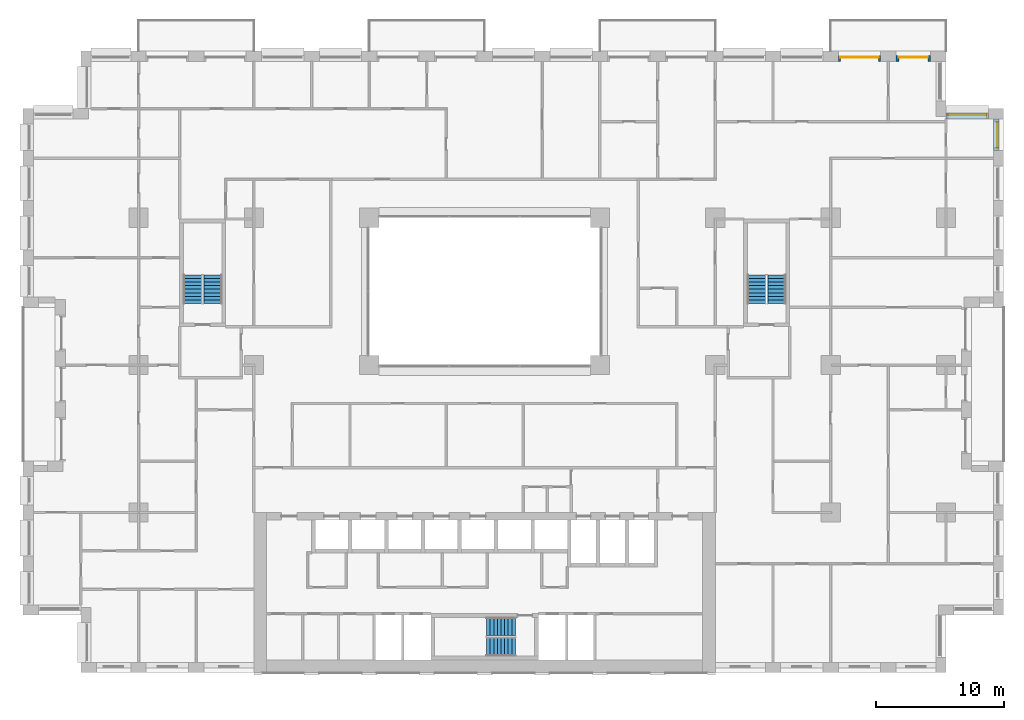
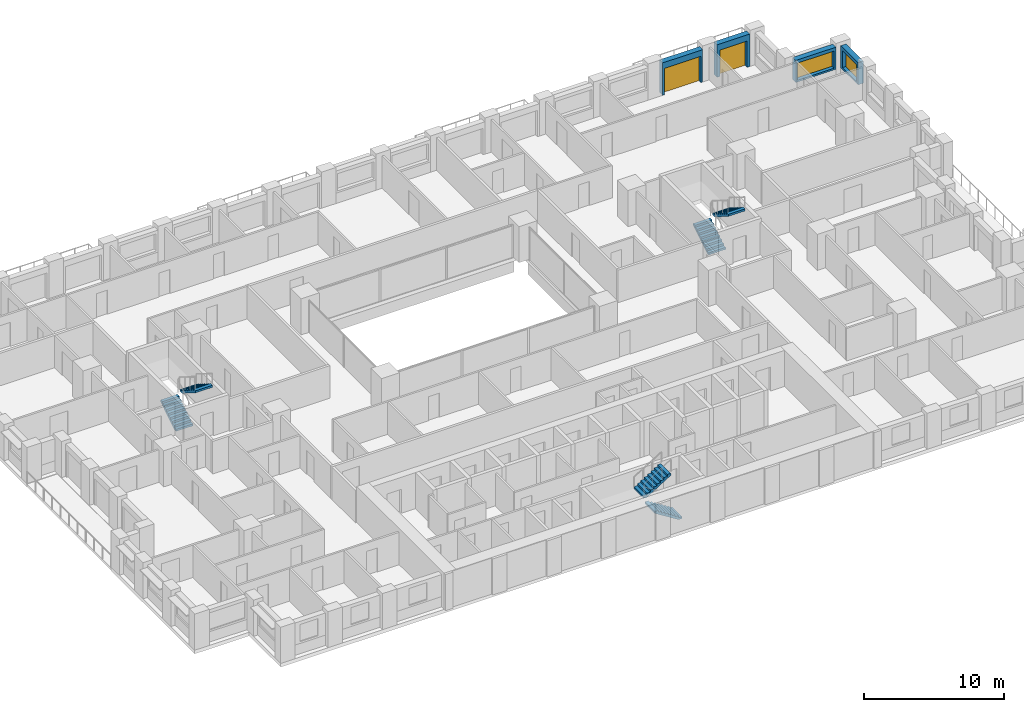
# One storey, part 18 of 20: 6 stair flights, 4 walls, 2 doors, 2 windows, 4 openings, 3 elements without a shape of their own.
"""IFC4 building model written with IfcOpenShell, lengths in metres."""

from ifc_helpers import new_model, si_unit, direction, frame, frame_2d, origin, place, context, subcontext, project, spatial, polyline, rectangle, outline, extrude, material, layer, layer_set, type_object, element, fill, aggregate, save


model = new_model("IFC4")

# Units and contexts
model_context = context("Model", 3, precision=1e-05, world=origin(), true_north=direction((0.0, 1.0)))
body_context = subcontext(model_context, "Body", "Model", "MODEL_VIEW")
ifc_project = project(units=[si_unit("LENGTHUNIT", "METRE"), si_unit("AREAUNIT", "SQUARE_METRE"), si_unit("VOLUMEUNIT", "CUBIC_METRE"), si_unit("PLANEANGLEUNIT", "RADIAN"), si_unit("MASSUNIT", "GRAM", prefix="KILO")], contexts=[model_context])

# Site, building, storey
site_placement = place(None, origin())
site = spatial("IfcSite", under=ifc_project, at=site_placement, CompositionType="ELEMENT")
building_placement = place(site_placement, origin())
building = spatial("IfcBuilding", under=site, at=building_placement, Name="Brigalow Station Residences", CompositionType="ELEMENT")
storey_placement = place(building_placement, frame((0.0, 0.0, 54.14990234375)))
storey = spatial("IfcBuildingStorey", under=building, at=storey_placement, Name="L15", CompositionType="ELEMENT", Elevation=54.14990234375)

# Wall, opening, window
ifc_material_1 = material(Name="Clay brick masonry", Category="masonry")
ifc_layer = layer(ifc_material_1, 0.449951171875)
ifc_layer_set = layer_set([ifc_layer], Name="BRICK INFILL WALL 450")
wall_type = type_object("IfcWallType", Name="BRICK INFILL WALL 450", PredefinedType="SOLIDWALL", material=ifc_layer_set)
wall_1_placement = place(storey_placement, frame((75.925048828125, 40.72509765625, 0.900146484375), z_axis=(0.0, 0.0, 1.0), x_axis=(0.0, 1.0, 0.0)))
wall_1 = element("IfcWall", 1, at=wall_1_placement, inside=storey, type_object=wall_type, Name="L15/ewall/W-L15-22", PredefinedType="SOLIDWALL", context=body_context, shape_type="SweptSolid", body=[
    extrude(rectangle(XDim=2.474853515625, YDim=0.449951171875, at=frame_2d((1.2373046875, 0.0))), origin(), (0.0, 0.0, 1.0), 1.929931640625),
])
opening_1_placement = place(wall_1_placement, frame((0.237548828125, 0.0, 0.14990234375)))
opening_1 = element("IfcOpeningElement", 2, at=opening_1_placement, cuts=wall_1, Name="Opening WT-7", PredefinedType="OPENING", context=body_context, shape_type="SweptSolid", body=[
    extrude(rectangle(XDim=2.0, YDim=1.5, at=frame_2d((1.0, 0.75))), frame((0.0, 0.23486328125, 0.0), z_axis=(0.0, -1.0, 0.0), x_axis=(1.0, 0.0, 0.0)), (0.0, 0.0, 1.0), 0.469970703125),
])
ifc_material_2 = material(Name="Anodised aluminium frame with double glazing", Category="aluminium")
window_type_1 = type_object("IfcWindowType", Name="WINDOW 2000x1500", PartitioningType="SINGLE_PANEL", PredefinedType="WINDOW", material=ifc_material_2)
window_1_placement = place(opening_1_placement, origin())
window_1 = element("IfcWindow", 3, at=window_1_placement, inside=storey, type_object=window_type_1, Name="L15/window/W-L15-22", OverallHeight=1.5, OverallWidth=2.0, PartitioningType="SINGLE_PANEL", PredefinedType="WINDOW", context=body_context, shape_type="SweptSolid", body=[
    extrude(rectangle(XDim=2.0, YDim=1.5, at=frame_2d((1.0, 0.75))), frame((0.0, -0.06494140625, 0.0), z_axis=(0.0, -1.0, 0.0), x_axis=(1.0, 0.0, 0.0)), (0.0, 0.0, 1.0), 0.06005859375),
])
fill(opening_1, window_1)

wall_2_placement = place(storey_placement, frame((75.300048828125, 43.425048828125, 0.900146484375), z_axis=(0.0, 0.0, 1.0), x_axis=(-1.0, 0.0, 0.0)))
wall_2 = element("IfcWall", 4, at=wall_2_placement, inside=storey, type_object=wall_type, Name="L15/ewall/W-L15-23", PredefinedType="SOLIDWALL", context=body_context, shape_type="SweptSolid", body=[
    extrude(rectangle(XDim=3.300048828125, YDim=0.449951171875, at=frame_2d((1.64990234375, 0.0))), origin(), (0.0, 0.0, 1.0), 1.929931640625),
])
opening_2_placement = place(wall_2_placement, frame((0.14990234375, 0.0, 0.14990234375)))
opening_2 = element("IfcOpeningElement", 5, at=opening_2_placement, cuts=wall_2, Name="Opening WT-2", PredefinedType="OPENING", context=body_context, shape_type="SweptSolid", body=[
    extrude(rectangle(XDim=3.0, YDim=1.5, at=frame_2d((1.5, 0.75))), frame((0.0, 0.23486328125, 0.0), z_axis=(0.0, -1.0, 0.0), x_axis=(1.0, 0.0, 0.0)), (0.0, 0.0, 1.0), 0.469970703125),
])
ifc_material_3 = material(Name="Anodised aluminium frame with double glazing", Category="aluminium")
window_type_2 = type_object("IfcWindowType", Name="WINDOW 3000x1500", PartitioningType="SINGLE_PANEL", PredefinedType="WINDOW", material=ifc_material_3)
window_2_placement = place(opening_2_placement, origin())
window_2 = element("IfcWindow", 6, at=window_2_placement, inside=storey, type_object=window_type_2, Name="L15/window/W-L15-23", OverallHeight=1.5, OverallWidth=3.0, PartitioningType="SINGLE_PANEL", PredefinedType="WINDOW", context=body_context, shape_type="SweptSolid", body=[
    extrude(rectangle(XDim=3.0, YDim=1.5, at=frame_2d((1.5, 0.75))), frame((0.0, -0.06494140625, 0.0), z_axis=(0.0, -1.0, 0.0), x_axis=(1.0, 0.0, 0.0)), (0.0, 0.0, 1.0), 0.06005859375),
])
fill(opening_2, window_2)

# Wall, opening, door
wall_3_placement = place(storey_placement, frame((70.800048828125, 47.925048828125, 0.0), z_axis=(0.0, 0.0, 1.0), x_axis=(-1.0, 0.0, 0.0)))
wall_3 = element("IfcWall", 7, at=wall_3_placement, inside=storey, type_object=wall_type, Name="L15/ewall/W-L15-25", PredefinedType="SOLIDWALL", context=body_context, shape_type="SweptSolid", body=[
    extrude(rectangle(XDim=2.699951171875, YDim=0.449951171875, at=frame_2d((1.35009765625, 0.0))), origin(), (0.0, 0.0, 1.0), 2.830078125),
])
opening_3_placement = place(wall_3_placement, frame((0.22509765625, 0.0, 0.0)))
opening_3 = element("IfcOpeningElement", 8, at=opening_3_placement, cuts=wall_3, Name="Opening D-B2250", PredefinedType="OPENING", context=body_context, shape_type="SweptSolid", body=[
    extrude(rectangle(XDim=2.25, YDim=2.300048828125, at=frame_2d((1.125, 1.14990234375))), frame((0.0, 0.23486328125, 0.0), z_axis=(0.0, -1.0, 0.0), x_axis=(1.0, 0.0, 0.0)), (0.0, 0.0, 1.0), 0.469970703125),
])
ifc_material_4 = material(Name="Anodised aluminium frame with double glazing", Category="aluminium")
door_type_1 = type_object("IfcDoorType", Name="BALCONY SLIDING DOOR 2250x2300", OperationType="SLIDING_TO_LEFT", PredefinedType="DOOR", material=ifc_material_4)
door_1_placement = place(opening_3_placement, origin())
door_1 = element("IfcDoor", 9, at=door_1_placement, inside=storey, type_object=door_type_1, Name="L15/balcony-door/W-L15-25", OperationType="SLIDING_TO_LEFT", OverallHeight=2.300048828125, OverallWidth=2.25, PredefinedType="DOOR", context=body_context, shape_type="SweptSolid", body=[
    extrude(rectangle(XDim=2.25, YDim=2.300048828125, at=frame_2d((1.125, 1.14990234375))), frame((0.0, -0.06982421875, 0.0), z_axis=(0.0, -1.0, 0.0), x_axis=(1.0, 0.0, 0.0)), (0.0, 0.0, 1.0), 0.050048828125),
])
fill(opening_3, door_1)

wall_4_placement = place(storey_placement, frame((66.89990234375, 47.925048828125, 0.0), z_axis=(0.0, 0.0, 1.0), x_axis=(-1.0, 0.0, 0.0)))
wall_4 = element("IfcWall", 10, at=wall_4_placement, inside=storey, type_object=wall_type, Name="L15/ewall/W-L15-26", PredefinedType="SOLIDWALL", context=body_context, shape_type="SweptSolid", body=[
    extrude(rectangle(XDim=3.2998046875, YDim=0.449951171875, at=frame_2d((1.64990234375, 0.0))), origin(), (0.0, 0.0, 1.0), 2.830078125),
])
opening_4_placement = place(wall_4_placement, frame((0.14990234375, 0.0, 0.0)))
opening_4 = element("IfcOpeningElement", 11, at=opening_4_placement, cuts=wall_4, Name="Opening D-B3000", PredefinedType="OPENING", context=body_context, shape_type="SweptSolid", body=[
    extrude(rectangle(XDim=3.0, YDim=2.300048828125, at=frame_2d((1.5, 1.14990234375))), frame((0.0, 0.23486328125, 0.0), z_axis=(0.0, -1.0, 0.0), x_axis=(1.0, 0.0, 0.0)), (0.0, 0.0, 1.0), 0.469970703125),
])
ifc_material_5 = material(Name="Anodised aluminium frame with double glazing", Category="aluminium")
door_type_2 = type_object("IfcDoorType", Name="BALCONY SLIDING DOOR 3000x2300", OperationType="SLIDING_TO_LEFT", PredefinedType="DOOR", material=ifc_material_5)
door_2_placement = place(opening_4_placement, origin())
door_2 = element("IfcDoor", 12, at=door_2_placement, inside=storey, type_object=door_type_2, Name="L15/balcony-door/W-L15-26", OperationType="SLIDING_TO_LEFT", OverallHeight=2.300048828125, OverallWidth=3.0, PredefinedType="DOOR", context=body_context, shape_type="SweptSolid", body=[
    extrude(rectangle(XDim=3.0, YDim=2.300048828125, at=frame_2d((1.5, 1.14990234375))), frame((0.0, -0.06982421875, 0.0), z_axis=(0.0, -1.0, 0.0), x_axis=(1.0, 0.0, 0.0)), (0.0, 0.0, 1.0), 0.050048828125),
])
fill(opening_4, door_2)

# Stair, stair flights
ifc_material_6 = material(Name="Concrete C50", Category="concrete")
stair_type = type_object("IfcStairType", Name="EXIT STAIR 1400 2 FLIGHT", PredefinedType="HALF_TURN_STAIR", material=ifc_material_6)
stair_1_placement = place(storey_placement, origin())
stair_1 = element("IfcStair", 13, at=stair_1_placement, inside=storey, type_object=stair_type, Name="EXIT STAIR S2 L15", PredefinedType="HALF_TURN_STAIR")
ifc_material_7 = material(Name="Concrete C50", Category="concrete")
stair_flight_type = type_object("IfcStairFlightType", Name="STAIR FLIGHT 1400", PredefinedType="STRAIGHT", material=ifc_material_7)
stair_flight_1_placement = place(storey_placement, frame((38.39990234375, 2.0, 0.0), z_axis=(0.0, 0.0, 1.0), x_axis=(-1.0, 0.0, 0.0)))
stair_flight_1 = element("IfcStairFlight", 14, at=stair_flight_1_placement, type_object=stair_flight_type, Name="ST-2 flight 1", NumberOfRisers=9, NumberOfTreads=8, PredefinedType="STRAIGHT", RiserHeight=0.175, TreadLength=0.28, context=body_context, shape_type="SweptSolid", body=[
    extrude(outline(polyline([(0.0, 0.0), (0.0, 0.175048828125), (0.280029296875, 0.175048828125), (0.280029296875, 0.35009765625), (0.56005859375, 0.35009765625), (0.56005859375, 0.52490234375), (0.840087890625, 0.52490234375), (0.840087890625, 0.699951171875), (1.1201171875, 0.699951171875), (1.1201171875, 0.875), (1.39990234375, 0.875), (1.39990234375, 1.050048828125), (1.679931640625, 1.050048828125), (1.679931640625, 1.22509765625), (1.9599609375, 1.22509765625), (1.9599609375, 1.39990234375), (2.239990234375, 1.39990234375), (2.239990234375, 1.574951171875), (2.239990234375, 1.22314453125), (0.28271484375, 0.0), (0.0, 0.0)])), frame((0.0, 0.699951171875, 0.0), z_axis=(0.0, -1.0, 0.0), x_axis=(1.0, 0.0, 0.0)), (0.0, 0.0, 1.0), 1.39990234375),
])
stair_flight_2_placement = place(storey_placement, frame((36.159912109375, 3.60009765625, 1.5751953125), z_axis=(0.0, 0.0, 1.0), x_axis=(1.0, 0.0, 0.0)))
stair_flight_2 = element("IfcStairFlight", 15, at=stair_flight_2_placement, type_object=stair_flight_type, Name="ST-2 flight 2", NumberOfRisers=9, NumberOfTreads=8, PredefinedType="STRAIGHT", RiserHeight=0.175, TreadLength=0.28, context=body_context, shape_type="SweptSolid", body=[
    extrude(outline(polyline([(0.0, 0.0), (0.0, 0.175048828125), (0.280029296875, 0.175048828125), (0.280029296875, 0.35009765625), (0.56005859375, 0.35009765625), (0.56005859375, 0.52490234375), (0.840087890625, 0.52490234375), (0.840087890625, 0.699951171875), (1.1201171875, 0.699951171875), (1.1201171875, 0.875), (1.39990234375, 0.875), (1.39990234375, 1.050048828125), (1.679931640625, 1.050048828125), (1.679931640625, 1.22509765625), (1.9599609375, 1.22509765625), (1.9599609375, 1.39990234375), (2.239990234375, 1.39990234375), (2.239990234375, 1.574951171875), (2.239990234375, 1.22314453125), (0.28271484375, 0.0), (0.0, 0.0)])), frame((0.0, 0.699951171875, 0.0), z_axis=(0.0, -1.0, 0.0), x_axis=(1.0, 0.0, 0.0)), (0.0, 0.0, 1.0), 1.39990234375),
])
aggregate(stair_1, [stair_flight_1, stair_flight_2])

stair_2_placement = place(storey_placement, origin())
stair_2 = element("IfcStair", 16, at=stair_2_placement, inside=storey, type_object=stair_type, Name="EXIT STAIR S1 L15", PredefinedType="HALF_TURN_STAIR")
stair_flight_3_placement = place(storey_placement, frame((13.199951171875, 28.800048828125, 0.0), z_axis=(0.0, 0.0, 1.0), x_axis=(0.0, 1.0, 0.0)))
stair_flight_3 = element("IfcStairFlight", 17, at=stair_flight_3_placement, type_object=stair_flight_type, Name="ST-1 flight 1", NumberOfRisers=9, NumberOfTreads=8, PredefinedType="STRAIGHT", RiserHeight=0.175, TreadLength=0.28, context=body_context, shape_type="SweptSolid", body=[
    extrude(outline(polyline([(0.0, 0.0), (0.0, 0.175048828125), (0.280029296875, 0.175048828125), (0.280029296875, 0.35009765625), (0.56005859375, 0.35009765625), (0.56005859375, 0.52490234375), (0.840087890625, 0.52490234375), (0.840087890625, 0.699951171875), (1.1201171875, 0.699951171875), (1.1201171875, 0.875), (1.39990234375, 0.875), (1.39990234375, 1.050048828125), (1.679931640625, 1.050048828125), (1.679931640625, 1.22509765625), (1.9599609375, 1.22509765625), (1.9599609375, 1.39990234375), (2.239990234375, 1.39990234375), (2.239990234375, 1.574951171875), (2.239990234375, 1.22314453125), (0.28271484375, 0.0), (0.0, 0.0)])), frame((0.0, 0.699951171875, 0.0), z_axis=(0.0, -1.0, 0.0), x_axis=(1.0, 0.0, 0.0)), (0.0, 0.0, 1.0), 1.39990234375),
])
stair_flight_4_placement = place(storey_placement, frame((14.800048828125, 31.0400390625, 1.5751953125), z_axis=(0.0, 0.0, 1.0), x_axis=(0.0, -1.0, 0.0)))
stair_flight_4 = element("IfcStairFlight", 18, at=stair_flight_4_placement, type_object=stair_flight_type, Name="ST-1 flight 2", NumberOfRisers=9, NumberOfTreads=8, PredefinedType="STRAIGHT", RiserHeight=0.175, TreadLength=0.28, context=body_context, shape_type="SweptSolid", body=[
    extrude(outline(polyline([(0.0, 0.0), (0.0, 0.175048828125), (0.280029296875, 0.175048828125), (0.280029296875, 0.35009765625), (0.56005859375, 0.35009765625), (0.56005859375, 0.52490234375), (0.840087890625, 0.52490234375), (0.840087890625, 0.699951171875), (1.1201171875, 0.699951171875), (1.1201171875, 0.875), (1.39990234375, 0.875), (1.39990234375, 1.050048828125), (1.679931640625, 1.050048828125), (1.679931640625, 1.22509765625), (1.9599609375, 1.22509765625), (1.9599609375, 1.39990234375), (2.239990234375, 1.39990234375), (2.239990234375, 1.574951171875), (2.239990234375, 1.22314453125), (0.28271484375, 0.0), (0.0, 0.0)])), frame((0.0, 0.699951171875, 0.0), z_axis=(0.0, -1.0, 0.0), x_axis=(1.0, 0.0, 0.0)), (0.0, 0.0, 1.0), 1.39990234375),
])
aggregate(stair_2, [stair_flight_3, stair_flight_4])

stair_3_placement = place(storey_placement, origin())
stair_3 = element("IfcStair", 19, at=stair_3_placement, inside=storey, type_object=stair_type, Name="EXIT STAIR S3 L15", PredefinedType="HALF_TURN_STAIR")
stair_flight_5_placement = place(storey_placement, frame((57.199951171875, 28.800048828125, 0.0), z_axis=(0.0, 0.0, 1.0), x_axis=(0.0, 1.0, 0.0)))
stair_flight_5 = element("IfcStairFlight", 20, at=stair_flight_5_placement, type_object=stair_flight_type, Name="ST-3 flight 1", NumberOfRisers=9, NumberOfTreads=8, PredefinedType="STRAIGHT", RiserHeight=0.175, TreadLength=0.28, context=body_context, shape_type="SweptSolid", body=[
    extrude(outline(polyline([(0.0, 0.0), (0.0, 0.175048828125), (0.280029296875, 0.175048828125), (0.280029296875, 0.35009765625), (0.56005859375, 0.35009765625), (0.56005859375, 0.52490234375), (0.840087890625, 0.52490234375), (0.840087890625, 0.699951171875), (1.1201171875, 0.699951171875), (1.1201171875, 0.875), (1.39990234375, 0.875), (1.39990234375, 1.050048828125), (1.679931640625, 1.050048828125), (1.679931640625, 1.22509765625), (1.9599609375, 1.22509765625), (1.9599609375, 1.39990234375), (2.239990234375, 1.39990234375), (2.239990234375, 1.574951171875), (2.239990234375, 1.22314453125), (0.28271484375, 0.0), (0.0, 0.0)])), frame((0.0, 0.699951171875, 0.0), z_axis=(0.0, -1.0, 0.0), x_axis=(1.0, 0.0, 0.0)), (0.0, 0.0, 1.0), 1.39990234375),
])
stair_flight_6_placement = place(storey_placement, frame((58.800048828125, 31.0400390625, 1.5751953125), z_axis=(0.0, 0.0, 1.0), x_axis=(0.0, -1.0, 0.0)))
stair_flight_6 = element("IfcStairFlight", 21, at=stair_flight_6_placement, type_object=stair_flight_type, Name="ST-3 flight 2", NumberOfRisers=9, NumberOfTreads=8, PredefinedType="STRAIGHT", RiserHeight=0.175, TreadLength=0.28, context=body_context, shape_type="SweptSolid", body=[
    extrude(outline(polyline([(0.0, 0.0), (0.0, 0.175048828125), (0.280029296875, 0.175048828125), (0.280029296875, 0.35009765625), (0.56005859375, 0.35009765625), (0.56005859375, 0.52490234375), (0.840087890625, 0.52490234375), (0.840087890625, 0.699951171875), (1.1201171875, 0.699951171875), (1.1201171875, 0.875), (1.39990234375, 0.875), (1.39990234375, 1.050048828125), (1.679931640625, 1.050048828125), (1.679931640625, 1.22509765625), (1.9599609375, 1.22509765625), (1.9599609375, 1.39990234375), (2.239990234375, 1.39990234375), (2.239990234375, 1.574951171875), (2.239990234375, 1.22314453125), (0.28271484375, 0.0), (0.0, 0.0)])), frame((0.0, 0.699951171875, 0.0), z_axis=(0.0, -1.0, 0.0), x_axis=(1.0, 0.0, 0.0)), (0.0, 0.0, 1.0), 1.39990234375),
])
aggregate(stair_3, [stair_flight_5, stair_flight_6])

save(model, "model.ifc")
